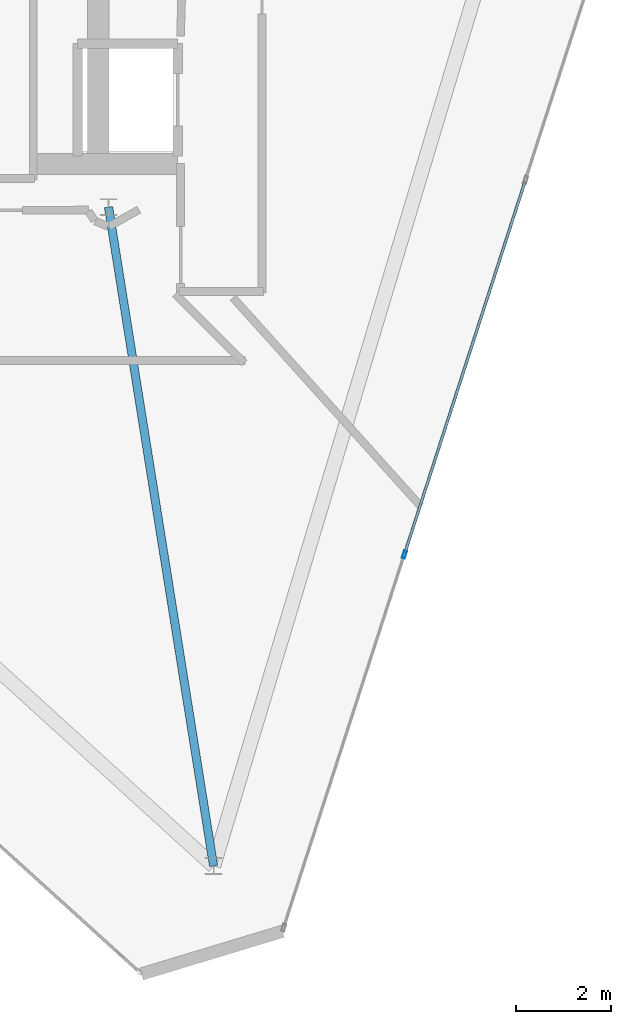
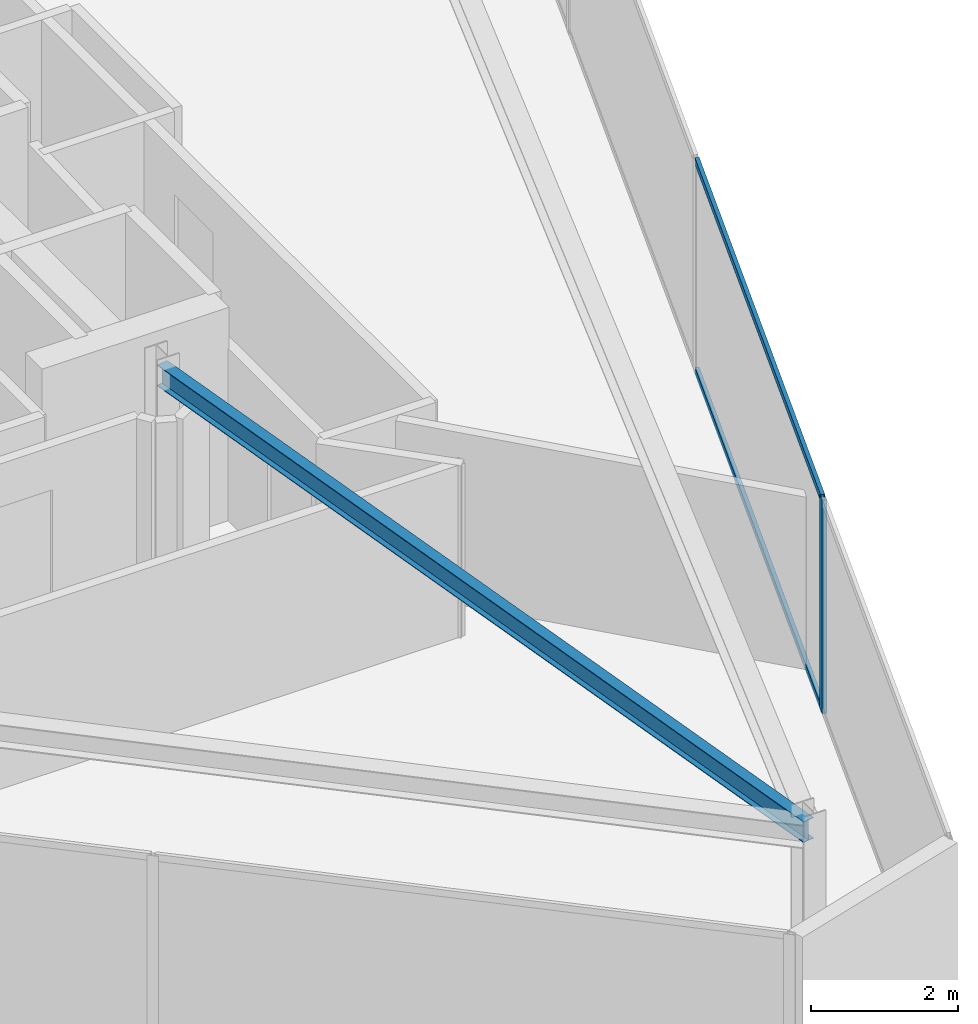
# One storey, part 5 of 14: 3 members, 1 beam, 1 element without a shape of its own.
"""IFC4 building model written with IfcOpenShell, lengths in metres."""

from ifc_helpers import new_model, si_unit, direction, frame, origin, origin_2d, place, context, subcontext, project, spatial, hollow_rectangle, i_section, extrude, material, layer, layer_set, material_profile, profile_set, type_object, element, aggregate, save


model = new_model("IFC4")

# Units and contexts
model_context = context("Model", 3, precision=1e-05, world=origin(), true_north=direction((0.0, 1.0)))
body_context = subcontext(model_context, "Body", "Model", "MODEL_VIEW")
ifc_project = project(units=[si_unit("LENGTHUNIT", "METRE"), si_unit("AREAUNIT", "SQUARE_METRE"), si_unit("VOLUMEUNIT", "CUBIC_METRE"), si_unit("PLANEANGLEUNIT", "RADIAN"), si_unit("MASSUNIT", "GRAM", prefix="KILO")], contexts=[model_context])

# Site, building, storey
site_placement = place(None, origin())
site = spatial("IfcSite", under=ifc_project, at=site_placement, CompositionType="ELEMENT")
building_placement = place(site_placement, origin())
building = spatial("IfcBuilding", under=site, at=building_placement, Name="Qianvela Tower", CompositionType="ELEMENT")
storey_placement = place(building_placement, frame((0.0, 0.0, 363.800048828125)))
storey = spatial("IfcBuildingStorey", under=building, at=storey_placement, Name="L94", CompositionType="ELEMENT", Elevation=363.800048828125)

# Beam
ifc_material_1 = material(Name="Steel Q355B", Category="steel")
ifc_material_profile_1 = material_profile(ifc_material_1, i_section(OverallWidth=0.175048828125, OverallDepth=0.35009765625, WebThickness=0.007080078125, FlangeThickness=0.010986328125, at=origin_2d()), Name="HN350x175x7x11")
ifc_profile_set_1 = profile_set([ifc_material_profile_1], Name="Steel Q355B")
beam_type = type_object("IfcBeamType", Name="BM-HN350-JOIST", PredefinedType="JOIST", material=ifc_profile_set_1)
beam_placement = place(storey_placement, frame((38.39990234375, 23.85009765625, 3.373046875), z_axis=(0.157462605368, -0.987524950526, 0.0), x_axis=(0.987524950526, 0.157462605368, 0.0)))
element("IfcBeam", 1, at=beam_placement, inside=storey, type_object=beam_type, Name="L94 Crown Radial Floor Girder 2", PredefinedType="JOIST", context=body_context, shape_type="SweptSolid", body=[
    extrude(i_section(OverallWidth=0.175048828125, OverallDepth=0.35009765625, WebThickness=0.007080078125, FlangeThickness=0.010986328125, at=origin_2d()), origin(), (0.0, 0.0, 1.0), 13.99755859375),
])

# Curtain wall, members
ifc_material_2 = material(Name="Anodised Architectural Aluminium and Low-E Glass", Category="aluminium")
ifc_layer = layer(ifc_material_2, 0.159912109375)
ifc_layer_set = layer_set([ifc_layer], Name="Anodised Architectural Aluminium and Low-E Glass")
curtain_wall_type = type_object("IfcCurtainWallType", Name="CW-CROWN", PredefinedType="USERDEFINED", material=ifc_layer_set)
curtain_wall_placement = place(storey_placement, origin())
curtain_wall = element("IfcCurtainWall", 2, at=curtain_wall_placement, inside=storey, type_object=curtain_wall_type, Name="L94 CW-CROWN Curtain Wall 06", ObjectType="CURTAIN_WALL_SYSTEM", PredefinedType="USERDEFINED")
ifc_material_3 = material(Name="Anodised Architectural Aluminium 6063-T6", Category="aluminium")
ifc_material_profile_2 = material_profile(ifc_material_3, hollow_rectangle(XDim=0.06494140625, YDim=0.159912109375, WallThickness=0.0048828125, at=origin_2d()), Name="ALU-MULL-65x160")
ifc_profile_set_2 = profile_set([ifc_material_profile_2], Name="Anodised Architectural Aluminium 6063-T6")
member_type_1 = type_object("IfcMemberType", Name="CW-CROWN-MULL", PredefinedType="MULLION", material=ifc_profile_set_2)
member_1_placement = place(storey_placement, frame((44.607666015625, 16.561767578125, 0.0), z_axis=(0.0, 0.0, 1.0), x_axis=(-0.951477858016, 0.307717217108, 0.0)))
member_1 = element("IfcMember", 3, at=member_1_placement, type_object=member_type_1, Name="CW-8 mullion 2", PredefinedType="MULLION", context=body_context, shape_type="SweptSolid", body=[
    extrude(hollow_rectangle(XDim=0.06494140625, YDim=0.159912109375, WallThickness=0.0048828125, at=origin_2d()), origin(), (0.0, 0.0, 1.0), 3.550048828125),
])
ifc_material_4 = material(Name="Anodised Architectural Aluminium 6063-T6", Category="aluminium")
ifc_material_profile_3 = material_profile(ifc_material_4, hollow_rectangle(XDim=0.06005859375, YDim=0.114990234375, WallThickness=0.00390625, at=origin_2d()), Name="ALU-TRAN-60x115")
ifc_profile_set_3 = profile_set([ifc_material_profile_3], Name="Anodised Architectural Aluminium 6063-T6")
member_type_2 = type_object("IfcMemberType", Name="CW-CROWN-TRAN", PredefinedType="USERDEFINED", material=ifc_profile_set_3)
member_2_placement = place(storey_placement, frame((44.617431640625, 16.5927734375, 0.030029296875), z_axis=(0.307742552122, 0.951469664053, 0.0), x_axis=(-0.951469664053, 0.307742552122, 0.0)))
member_2 = element("IfcMember", 4, at=member_2_placement, type_object=member_type_2, Name="CW-8 transom 2.1", ObjectType="TRANSOM", PredefinedType="USERDEFINED", context=body_context, shape_type="SweptSolid", body=[
    extrude(hollow_rectangle(XDim=0.06005859375, YDim=0.114990234375, WallThickness=0.00390625, at=origin_2d()), origin(), (0.0, 0.0, 1.0), 8.195068359375),
])
member_3_placement = place(storey_placement, frame((44.617431640625, 16.5927734375, 3.52001953125), z_axis=(0.307742552122, 0.951469664053, 0.0), x_axis=(-0.951469664053, 0.307742552122, 0.0)))
member_3 = element("IfcMember", 5, at=member_3_placement, type_object=member_type_2, Name="CW-8 transom 2.2", ObjectType="TRANSOM", PredefinedType="USERDEFINED", context=body_context, shape_type="SweptSolid", body=[
    extrude(hollow_rectangle(XDim=0.06005859375, YDim=0.114990234375, WallThickness=0.00390625, at=origin_2d()), origin(), (0.0, 0.0, 1.0), 8.195068359375),
])
aggregate(curtain_wall, [member_1, member_2, member_3])

save(model, "model.ifc")
